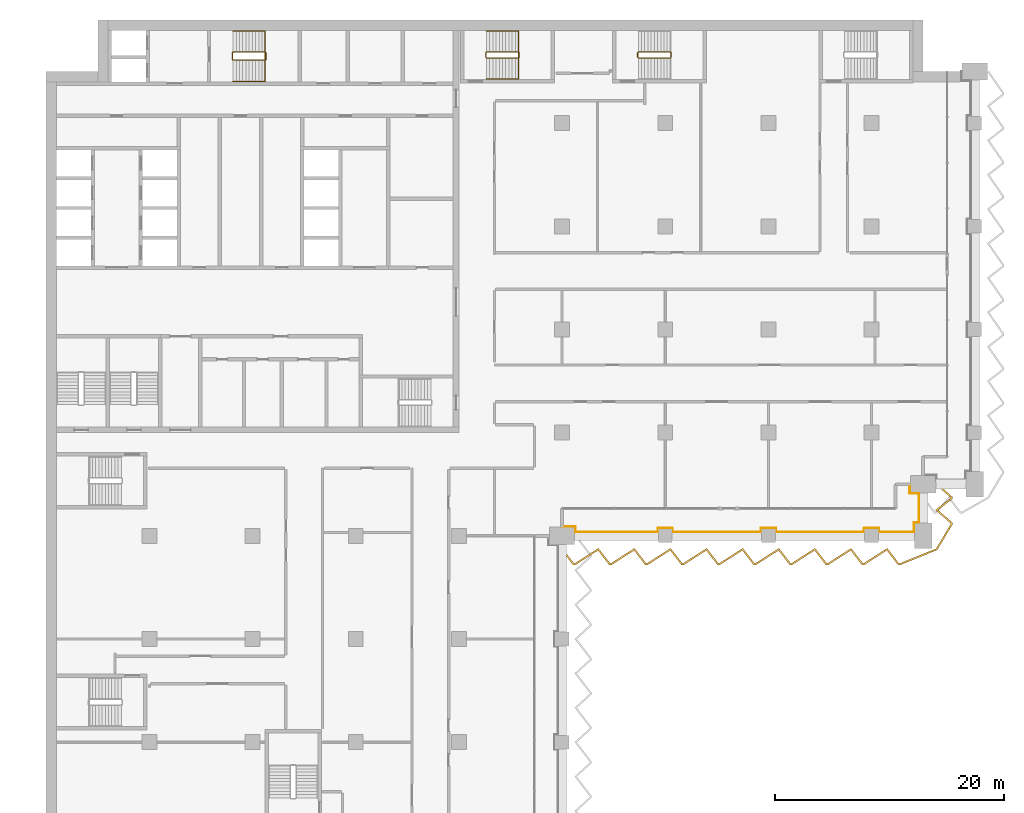
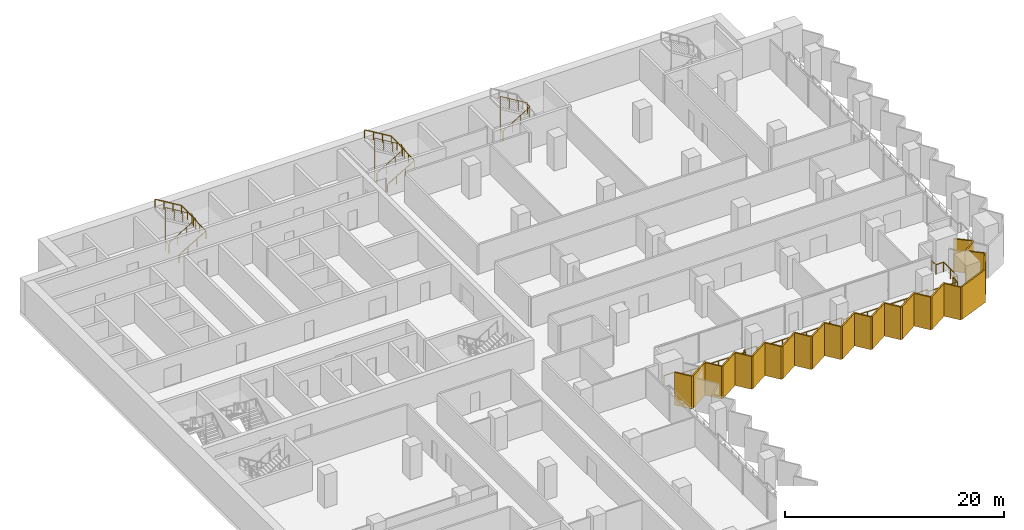
# One storey, part 22 of 23: 6 railings, 1 shading device.
"""IFC4 building model written with IfcOpenShell, lengths in metres."""

from ifc_helpers import new_model, si_unit, direction, frame, origin, origin_2d, place, context, subcontext, project, spatial, polyline, circle, outline, extrude, material, layer, layer_set, type_object, element, save


model = new_model("IFC4")

# Units and contexts
model_context = context("Model", 3, precision=1e-05, world=origin(), true_north=direction((0.0, 1.0)))
body_context = subcontext(model_context, "Body", "Model", "MODEL_VIEW")
ifc_project = project(units=[si_unit("LENGTHUNIT", "METRE"), si_unit("AREAUNIT", "SQUARE_METRE"), si_unit("VOLUMEUNIT", "CUBIC_METRE"), si_unit("PLANEANGLEUNIT", "RADIAN"), si_unit("MASSUNIT", "GRAM", prefix="KILO")], contexts=[model_context])

# Site, building, storey
site_placement = place(None, origin())
site = spatial("IfcSite", under=ifc_project, at=site_placement, CompositionType="ELEMENT")
building_placement = place(site_placement, origin())
building = spatial("IfcBuilding", under=site, at=building_placement, Name="Hunhe Ridgeline Campus", CompositionType="ELEMENT")
storey_placement = place(building_placement, frame((0.0, 0.0, 95.89990234375)))
storey = spatial("IfcBuildingStorey", under=building, at=storey_placement, Name="L23", CompositionType="ELEMENT", Elevation=95.89990234375)

# Railing
ifc_material_1 = material(Name="Steel Q355", Category="steel")
railing_type_1 = type_object("IfcRailingType", Name="Loggia guard 1100 Steel Q355", PredefinedType="GUARDRAIL", material=ifc_material_1)
railing_1_placement = place(storey_placement, frame((45.0, 54.820068359375, 0.0)))
element("IfcRailing", 1, at=railing_1_placement, inside=storey, type_object=railing_type_1, Name="Loggia guard 2", PredefinedType="GUARDRAIL", context=body_context, shape_type="SweptSolid", body=[
    extrude(circle(Radius=0.02392578125, at=origin_2d()), frame((0.0, 0.0, 1.076171875), z_axis=(1.0, 0.0, 0.0), x_axis=(0.0, 1.0, 0.0)), (0.0, 0.0, 1.0), 1.14990234375),
    extrude(circle(Radius=0.02392578125, at=origin_2d()), frame((1.14990234375, 0.0, 1.076171875), z_axis=(0.0, -1.0, 0.0), x_axis=(1.0, 0.0, 0.0)), (0.0, 0.0, 1.0), 0.469970703125),
    extrude(circle(Radius=0.02392578125, at=origin_2d()), frame((1.14990234375, -0.469970703125, 1.076171875), z_axis=(1.0, 0.0, 0.0), x_axis=(0.0, 1.0, 0.0)), (0.0, 0.0, 1.0), 7.2001953125),
    extrude(circle(Radius=0.02392578125, at=origin_2d()), frame((8.35009765625, -0.469970703125, 1.076171875), z_axis=(0.0, 1.0, 0.0), x_axis=(-1.0, 0.0, 0.0)), (0.0, 0.0, 1.0), 0.31982421875),
    extrude(circle(Radius=0.02392578125, at=origin_2d()), frame((8.35009765625, -0.150146484375, 1.076171875), z_axis=(1.0, 0.0, 0.0), x_axis=(0.0, 1.0, 0.0)), (0.0, 0.0, 1.0), 1.2998046875),
    extrude(circle(Radius=0.02392578125, at=origin_2d()), frame((9.64990234375, -0.150146484375, 1.076171875), z_axis=(0.0, -1.0, 0.0), x_axis=(1.0, 0.0, 0.0)), (0.0, 0.0, 1.0), 0.31982421875),
    extrude(circle(Radius=0.02392578125, at=origin_2d()), frame((9.64990234375, -0.469970703125, 1.076171875), z_axis=(1.0, 0.0, 0.0), x_axis=(0.0, 1.0, 0.0)), (0.0, 0.0, 1.0), 7.7001953125),
    extrude(circle(Radius=0.02392578125, at=origin_2d()), frame((17.35009765625, -0.469970703125, 1.076171875), z_axis=(0.0, 1.0, 0.0), x_axis=(-1.0, 0.0, 0.0)), (0.0, 0.0, 1.0), 0.31982421875),
    extrude(circle(Radius=0.02392578125, at=origin_2d()), frame((17.35009765625, -0.150146484375, 1.076171875), z_axis=(1.0, 0.0, 0.0), x_axis=(0.0, 1.0, 0.0)), (0.0, 0.0, 1.0), 1.2998046875),
    extrude(circle(Radius=0.02392578125, at=origin_2d()), frame((18.64990234375, -0.150146484375, 1.076171875), z_axis=(0.0, -1.0, 0.0), x_axis=(1.0, 0.0, 0.0)), (0.0, 0.0, 1.0), 0.31982421875),
    extrude(circle(Radius=0.02392578125, at=origin_2d()), frame((18.64990234375, -0.469970703125, 1.076171875), z_axis=(1.0, 0.0, 0.0), x_axis=(0.0, 1.0, 0.0)), (0.0, 0.0, 1.0), 7.7001953125),
    extrude(circle(Radius=0.02392578125, at=origin_2d()), frame((26.35009765625, -0.469970703125, 1.076171875), z_axis=(0.0, 1.0, 0.0), x_axis=(-1.0, 0.0, 0.0)), (0.0, 0.0, 1.0), 0.31982421875),
    extrude(circle(Radius=0.02392578125, at=origin_2d()), frame((26.35009765625, -0.150146484375, 1.076171875), z_axis=(1.0, 0.0, 0.0), x_axis=(0.0, 1.0, 0.0)), (0.0, 0.0, 1.0), 1.2998046875),
    extrude(circle(Radius=0.02392578125, at=origin_2d()), frame((27.64990234375, -0.150146484375, 1.076171875), z_axis=(0.0, -1.0, 0.0), x_axis=(1.0, 0.0, 0.0)), (0.0, 0.0, 1.0), 0.31982421875),
    extrude(circle(Radius=0.02392578125, at=origin_2d()), frame((27.64990234375, -0.469970703125, 1.076171875), z_axis=(1.0, 0.0, 0.0), x_axis=(0.0, 1.0, 0.0)), (0.0, 0.0, 1.0), 3.050048828125),
    extrude(circle(Radius=0.02392578125, at=origin_2d()), frame((30.699951171875, -0.469970703125, 1.076171875), z_axis=(0.0, 1.0, 0.0), x_axis=(-1.0, 0.0, 0.0)), (0.0, 0.0, 1.0), 0.81982421875),
    extrude(circle(Radius=0.02392578125, at=origin_2d()), frame((30.699951171875, 0.349853515625, 1.076171875), z_axis=(-0.057129153726, -0.99836679622, 0.0), x_axis=(0.99836679622, -0.057129153726, 0.0)), (0.0, 0.0, 1.0), 0.350341796875),
    extrude(circle(Radius=0.02392578125, at=origin_2d()), frame((30.679931640625, 0.0, 1.076171875), z_axis=(0.0, 1.0, 0.0), x_axis=(-1.0, 0.0, 0.0)), (0.0, 0.0, 1.0), 0.329833984375),
    extrude(circle(Radius=0.02392578125, at=origin_2d()), frame((30.679931640625, 0.329833984375, 1.076171875), z_axis=(1.0, 0.0, 0.0), x_axis=(0.0, 1.0, 0.0)), (0.0, 0.0, 1.0), 0.469970703125),
    extrude(circle(Radius=0.02392578125, at=origin_2d()), frame((31.14990234375, 0.329833984375, 1.076171875), z_axis=(0.0, 1.0, 0.0), x_axis=(-1.0, 0.0, 0.0)), (0.0, 0.0, 1.0), 2.550048828125),
    extrude(circle(Radius=0.02392578125, at=origin_2d()), frame((31.14990234375, 2.8798828125, 1.076171875), z_axis=(-1.0, 0.0, 0.0), x_axis=(0.0, -1.0, 0.0)), (0.0, 0.0, 1.0), 0.81982421875),
    extrude(circle(Radius=0.02392578125, at=origin_2d()), frame((30.330078125, 2.8798828125, 1.076171875), z_axis=(0.0, 1.0, 0.0), x_axis=(-1.0, 0.0, 0.0)), (0.0, 0.0, 1.0), 0.800048828125),
    extrude(circle(Radius=0.02099609375, at=origin_2d()), origin(), (0.0, 0.0, 1.0), 1.052001953125),
    extrude(circle(Radius=0.02099609375, at=origin_2d()), frame((1.14990234375, 0.0, 0.0)), (0.0, 0.0, 1.0), 1.052001953125),
    extrude(circle(Radius=0.02099609375, at=origin_2d()), frame((1.14990234375, -0.469970703125, 0.0)), (0.0, 0.0, 1.0), 1.052001953125),
    extrude(circle(Radius=0.02099609375, at=origin_2d()), frame((2.58984375, -0.469970703125, 0.0)), (0.0, 0.0, 1.0), 1.052001953125),
    extrude(circle(Radius=0.02099609375, at=origin_2d()), frame((4.030029296875, -0.469970703125, 0.0)), (0.0, 0.0, 1.0), 1.052001953125),
    extrude(circle(Radius=0.02099609375, at=origin_2d()), frame((5.469970703125, -0.469970703125, 0.0)), (0.0, 0.0, 1.0), 1.052001953125),
    extrude(circle(Radius=0.02099609375, at=origin_2d()), frame((6.91015625, -0.469970703125, 0.0)), (0.0, 0.0, 1.0), 1.052001953125),
    extrude(circle(Radius=0.02099609375, at=origin_2d()), frame((8.35009765625, -0.469970703125, 0.0)), (0.0, 0.0, 1.0), 1.052001953125),
    extrude(circle(Radius=0.02099609375, at=origin_2d()), frame((8.35009765625, -0.150146484375, 0.0)), (0.0, 0.0, 1.0), 1.052001953125),
    extrude(circle(Radius=0.02099609375, at=origin_2d()), frame((9.64990234375, -0.150146484375, 0.0)), (0.0, 0.0, 1.0), 1.052001953125),
    extrude(circle(Radius=0.02099609375, at=origin_2d()), frame((9.64990234375, -0.469970703125, 0.0)), (0.0, 0.0, 1.0), 1.052001953125),
    extrude(circle(Radius=0.02099609375, at=origin_2d()), frame((10.933349609375, -0.469970703125, 0.0)), (0.0, 0.0, 1.0), 1.052001953125),
    extrude(circle(Radius=0.02099609375, at=origin_2d()), frame((12.216552734375, -0.469970703125, 0.0)), (0.0, 0.0, 1.0), 1.052001953125),
    extrude(circle(Radius=0.02099609375, at=origin_2d()), frame((13.5, -0.469970703125, 0.0)), (0.0, 0.0, 1.0), 1.052001953125),
    extrude(circle(Radius=0.02099609375, at=origin_2d()), frame((14.783447265625, -0.469970703125, 0.0)), (0.0, 0.0, 1.0), 1.052001953125),
    extrude(circle(Radius=0.02099609375, at=origin_2d()), frame((16.066650390625, -0.469970703125, 0.0)), (0.0, 0.0, 1.0), 1.052001953125),
    extrude(circle(Radius=0.02099609375, at=origin_2d()), frame((17.35009765625, -0.469970703125, 0.0)), (0.0, 0.0, 1.0), 1.052001953125),
    extrude(circle(Radius=0.02099609375, at=origin_2d()), frame((17.35009765625, -0.150146484375, 0.0)), (0.0, 0.0, 1.0), 1.052001953125),
    extrude(circle(Radius=0.02099609375, at=origin_2d()), frame((18.64990234375, -0.150146484375, 0.0)), (0.0, 0.0, 1.0), 1.052001953125),
    extrude(circle(Radius=0.02099609375, at=origin_2d()), frame((18.64990234375, -0.469970703125, 0.0)), (0.0, 0.0, 1.0), 1.052001953125),
    extrude(circle(Radius=0.02099609375, at=origin_2d()), frame((19.933349609375, -0.469970703125, 0.0)), (0.0, 0.0, 1.0), 1.052001953125),
    extrude(circle(Radius=0.02099609375, at=origin_2d()), frame((21.216552734375, -0.469970703125, 0.0)), (0.0, 0.0, 1.0), 1.052001953125),
    extrude(circle(Radius=0.02099609375, at=origin_2d()), frame((22.5, -0.469970703125, 0.0)), (0.0, 0.0, 1.0), 1.052001953125),
    extrude(circle(Radius=0.02099609375, at=origin_2d()), frame((23.783447265625, -0.469970703125, 0.0)), (0.0, 0.0, 1.0), 1.052001953125),
    extrude(circle(Radius=0.02099609375, at=origin_2d()), frame((25.066650390625, -0.469970703125, 0.0)), (0.0, 0.0, 1.0), 1.052001953125),
    extrude(circle(Radius=0.02099609375, at=origin_2d()), frame((26.35009765625, -0.469970703125, 0.0)), (0.0, 0.0, 1.0), 1.052001953125),
    extrude(circle(Radius=0.02099609375, at=origin_2d()), frame((26.35009765625, -0.150146484375, 0.0)), (0.0, 0.0, 1.0), 1.052001953125),
    extrude(circle(Radius=0.02099609375, at=origin_2d()), frame((27.64990234375, -0.150146484375, 0.0)), (0.0, 0.0, 1.0), 1.052001953125),
    extrude(circle(Radius=0.02099609375, at=origin_2d()), frame((27.64990234375, -0.469970703125, 0.0)), (0.0, 0.0, 1.0), 1.052001953125),
    extrude(circle(Radius=0.02099609375, at=origin_2d()), frame((28.66650390625, -0.469970703125, 0.0)), (0.0, 0.0, 1.0), 1.052001953125),
    extrude(circle(Radius=0.02099609375, at=origin_2d()), frame((29.683349609375, -0.469970703125, 0.0)), (0.0, 0.0, 1.0), 1.052001953125),
    extrude(circle(Radius=0.02099609375, at=origin_2d()), frame((30.699951171875, -0.469970703125, 0.0)), (0.0, 0.0, 1.0), 1.052001953125),
    extrude(circle(Radius=0.02099609375, at=origin_2d()), frame((30.699951171875, 0.349853515625, 0.0)), (0.0, 0.0, 1.0), 1.052001953125),
    extrude(circle(Radius=0.02099609375, at=origin_2d()), frame((30.679931640625, 0.0, 0.0)), (0.0, 0.0, 1.0), 1.052001953125),
    extrude(circle(Radius=0.02099609375, at=origin_2d()), frame((30.679931640625, 0.329833984375, 0.0)), (0.0, 0.0, 1.0), 1.052001953125),
    extrude(circle(Radius=0.02099609375, at=origin_2d()), frame((31.14990234375, 0.329833984375, 0.0)), (0.0, 0.0, 1.0), 1.052001953125),
    extrude(circle(Radius=0.02099609375, at=origin_2d()), frame((31.14990234375, 1.60498046875, 0.0)), (0.0, 0.0, 1.0), 1.052001953125),
    extrude(circle(Radius=0.02099609375, at=origin_2d()), frame((31.14990234375, 2.8798828125, 0.0)), (0.0, 0.0, 1.0), 1.052001953125),
    extrude(circle(Radius=0.02099609375, at=origin_2d()), frame((30.330078125, 2.8798828125, 0.0)), (0.0, 0.0, 1.0), 1.052001953125),
    extrude(circle(Radius=0.02099609375, at=origin_2d()), frame((30.330078125, 3.679931640625, 0.0)), (0.0, 0.0, 1.0), 1.052001953125),
])

# Shading device
ifc_material_2 = material(Name="Concrete C50", Category="concrete")
ifc_layer = layer(ifc_material_2, 0.14990234375)
ifc_layer_set = layer_set([ifc_layer], Name="Sawtooth concrete fin 150 Concrete C50")
shading_device_type = type_object("IfcShadingDeviceType", Name="Sawtooth concrete fin 150 Concrete C50", PredefinedType="USERDEFINED", material=ifc_layer_set)
shading_device_placement = place(storey_placement, frame((0.0, 0.0, -0.949951171875)))
element("IfcShadingDevice", 2, at=shading_device_placement, inside=storey, type_object=shading_device_type, Name="Concrete fin screen 2", ObjectType="FIN", PredefinedType="USERDEFINED", context=body_context, shape_type="SweptSolid", body=[
    extrude(outline(polyline([(45.059326171875, 52.870849609375), (44.940673828125, 52.779296875), (45.965087890625, 51.449951171875), (46.14404296875, 51.449951171875), (48.132568359375, 52.724853515625), (49.115234375, 51.449951171875), (49.2939453125, 51.449951171875), (51.282470703125, 52.724853515625), (52.26513671875, 51.449951171875), (52.444091796875, 51.449951171875), (54.4326171875, 52.724853515625), (55.4150390625, 51.449951171875), (55.593994140625, 51.449951171875), (57.58251953125, 52.724853515625), (58.565185546875, 51.449951171875), (58.743896484375, 51.449951171875), (60.732666015625, 52.724853515625), (61.715087890625, 51.449951171875), (61.89404296875, 51.449951171875), (63.882568359375, 52.724853515625), (64.865234375, 51.449951171875), (65.0439453125, 51.449951171875), (67.032470703125, 52.724853515625), (68.01513671875, 51.449951171875), (68.194091796875, 51.449951171875), (70.1826171875, 52.724853515625), (71.1650390625, 51.449951171875), (71.343994140625, 51.449951171875), (73.33251953125, 52.724853515625), (74.315185546875, 51.449951171875), (74.486572265625, 51.449951171875), (77.7265625, 52.764892578125), (79.050048828125, 54.9814453125), (79.050048828125, 55.15625), (77.79345703125, 56.24658203125), (79.050048828125, 57.215087890625), (79.050048828125, 57.40625), (77.72412109375, 58.556640625), (77.625732421875, 58.443359375), (78.89990234375, 57.337890625), (78.89990234375, 57.288818359375), (77.556640625, 56.25341796875), (78.89990234375, 55.087890625), (78.89990234375, 55.022705078125), (77.62353515625, 52.885009765625), (74.45751953125, 51.60009765625), (74.388916015625, 51.60009765625), (73.367431640625, 52.92529296875), (71.300048828125, 51.60009765625), (71.239013671875, 51.60009765625), (70.217529296875, 52.92529296875), (68.150146484375, 51.60009765625), (68.0888671875, 51.60009765625), (67.0673828125, 52.92529296875), (65.0, 51.60009765625), (64.93896484375, 51.60009765625), (63.91748046875, 52.92529296875), (61.85009765625, 51.60009765625), (61.788818359375, 51.60009765625), (60.767333984375, 52.92529296875), (58.699951171875, 51.60009765625), (58.638916015625, 51.60009765625), (57.617431640625, 52.92529296875), (55.550048828125, 51.60009765625), (55.489013671875, 51.60009765625), (54.467529296875, 52.92529296875), (52.400146484375, 51.60009765625), (52.3388671875, 51.60009765625), (51.3173828125, 52.92529296875), (49.25, 51.60009765625), (49.18896484375, 51.60009765625), (48.16748046875, 52.92529296875), (46.10009765625, 51.60009765625), (46.038818359375, 51.60009765625), (45.059326171875, 52.870849609375)])), origin(), (0.0, 0.0, 1.0), 3.650146484375),
])

# Railings
ifc_material_3 = material(Name="Stainless steel balustrade", Category="steel")
railing_type_2 = type_object("IfcRailingType", Name="Stair guard 1100 stainless", PredefinedType="GUARDRAIL", material=ifc_material_3)
railing_2_placement = place(storey_placement, frame((16.300048828125, 95.5, 0.168212890625)))
element("IfcRailing", 3, at=railing_2_placement, inside=storey, type_object=railing_type_2, Name="L23 stair S1 guard", PredefinedType="GUARDRAIL", context=body_context, shape_type="SweptSolid", body=[
    extrude(circle(Radius=0.02392578125, at=origin_2d()), frame((0.0, 0.0, 1.076171875), z_axis=(0.857242210791, 0.0, 0.514913383045), x_axis=(0.0, 1.0, 0.0)), (0.0, 0.0, 1.0), 3.266357421875),
    extrude(circle(Radius=0.02392578125, at=origin_2d()), frame((2.800048828125, 0.0, 2.7578125), z_axis=(0.705375805398, 0.708833529934, 0.0), x_axis=(-0.708833529934, 0.705375805398, 0.0)), (0.0, 0.0, 1.0), 0.070556640625),
    extrude(circle(Radius=0.02392578125, at=origin_2d()), frame((2.849853515625, 0.050048828125, 2.7578125), z_axis=(0.0, 1.0, 0.0), x_axis=(-1.0, 0.0, 0.0)), (0.0, 0.0, 1.0), 0.599853515625),
    extrude(circle(Radius=0.02392578125, at=origin_2d()), frame((2.849853515625, 0.64990234375, 2.7578125), z_axis=(-0.273006030465, 0.27434429532, 0.922064485248), x_axis=(-0.708833529934, -0.705375805398, 0.0)), (0.0, 0.0, 1.0), 0.182373046875),
    extrude(circle(Radius=0.02392578125, at=origin_2d()), frame((2.800048828125, 0.699951171875, 2.92626953125), z_axis=(-0.857242210791, 0.0, 0.514913383045), x_axis=(0.0, -1.0, 0.0)), (0.0, 0.0, 1.0), 3.266357421875),
    extrude(circle(Radius=0.02392578125, at=origin_2d()), frame((0.0, 0.699951171875, 4.60791015625), z_axis=(-0.013523522368, -0.013523522368, -0.999817097616), x_axis=(0.707106781187, -0.707106781187, 0.0)), (0.0, 0.0, 1.0), 3.700927734375),
    extrude(circle(Radius=0.02392578125, at=origin_2d()), frame((-0.050048828125, 0.64990234375, 0.90771484375), z_axis=(0.0, -1.0, 0.0), x_axis=(1.0, 0.0, 0.0)), (0.0, 0.0, 1.0), 0.599853515625),
    extrude(circle(Radius=0.02099609375, at=origin_2d()), origin(), (0.0, 0.0, 1.0), 1.052001953125),
    extrude(circle(Radius=0.02099609375, at=origin_2d()), frame((0.933349609375, 0.0, 0.560546875)), (0.0, 0.0, 1.0), 1.052001953125),
    extrude(circle(Radius=0.02099609375, at=origin_2d()), frame((1.86669921875, 0.0, 1.121337890625)), (0.0, 0.0, 1.0), 1.052001953125),
    extrude(circle(Radius=0.02099609375, at=origin_2d()), frame((2.800048828125, 0.0, 1.681884765625)), (0.0, 0.0, 1.0), 1.052001953125),
    extrude(circle(Radius=0.02099609375, at=origin_2d()), frame((2.849853515625, 0.050048828125, 1.681884765625)), (0.0, 0.0, 1.0), 1.052001953125),
    extrude(circle(Radius=0.02099609375, at=origin_2d()), frame((2.849853515625, 0.64990234375, 1.681884765625)), (0.0, 0.0, 1.0), 1.052001953125),
    extrude(circle(Radius=0.02099609375, at=origin_2d()), frame((2.800048828125, 0.699951171875, 1.85009765625)), (0.0, 0.0, 1.0), 1.052001953125),
    extrude(circle(Radius=0.02099609375, at=origin_2d()), frame((1.86669921875, 0.699951171875, 2.41064453125)), (0.0, 0.0, 1.0), 1.052001953125),
    extrude(circle(Radius=0.02099609375, at=origin_2d()), frame((0.933349609375, 0.699951171875, 2.971435546875)), (0.0, 0.0, 1.0), 1.052001953125),
    extrude(circle(Radius=0.02099609375, at=origin_2d()), frame((0.0, 0.699951171875, 3.531982421875)), (0.0, 0.0, 1.0), 1.052001953125),
    extrude(circle(Radius=0.02099609375, at=origin_2d()), frame((-0.012451171875, 0.6875, 2.60693359375)), (0.0, 0.0, 1.0), 1.052001953125),
    extrude(circle(Radius=0.02099609375, at=origin_2d()), frame((-0.02490234375, 0.6748046875, 1.681884765625)), (0.0, 0.0, 1.0), 1.052001953125),
    extrude(circle(Radius=0.02099609375, at=origin_2d()), frame((-0.03759765625, 0.662353515625, 0.7568359375)), (0.0, 0.0, 1.0), 1.052001953125),
    extrude(circle(Radius=0.02099609375, at=origin_2d()), frame((-0.050048828125, 0.64990234375, -0.168212890625)), (0.0, 0.0, 1.0), 1.052001953125),
    extrude(circle(Radius=0.02099609375, at=origin_2d()), frame((-0.050048828125, 0.050048828125, -0.168212890625)), (0.0, 0.0, 1.0), 1.052001953125),
])
railing_3_placement = place(storey_placement, frame((38.39990234375, 95.699951171875, 0.168212890625)))
element("IfcRailing", 4, at=railing_3_placement, inside=storey, type_object=railing_type_2, Name="L23 stair E1 guard", PredefinedType="GUARDRAIL", context=body_context, shape_type="SweptSolid", body=[
    extrude(circle(Radius=0.02392578125, at=origin_2d()), frame((0.0, 0.0, 1.076171875), z_axis=(0.857242210791, 0.0, 0.514913383045), x_axis=(0.0, 1.0, 0.0)), (0.0, 0.0, 1.0), 3.266357421875),
    extrude(circle(Radius=0.02392578125, at=origin_2d()), frame((2.800048828125, 0.0, 2.7578125), z_axis=(0.707106781187, 0.707106781187, 0.0), x_axis=(-0.707106781187, 0.707106781187, 0.0)), (0.0, 0.0, 1.0), 0.07080078125),
    extrude(circle(Radius=0.02392578125, at=origin_2d()), frame((2.85009765625, 0.050048828125, 2.7578125), z_axis=(0.0, 1.0, 0.0), x_axis=(-1.0, 0.0, 0.0)), (0.0, 0.0, 1.0), 0.39990234375),
    extrude(circle(Radius=0.02392578125, at=origin_2d()), frame((2.85009765625, 0.449951171875, 2.7578125), z_axis=(-0.274243871929, 0.274243871929, 0.92172696468), x_axis=(-0.707106781187, -0.707106781187, 0.0)), (0.0, 0.0, 1.0), 0.1826171875),
    extrude(circle(Radius=0.02392578125, at=origin_2d()), frame((2.800048828125, 0.5, 2.92626953125), z_axis=(-0.857242210791, 0.0, 0.514913383045), x_axis=(0.0, -1.0, 0.0)), (0.0, 0.0, 1.0), 3.266357421875),
    extrude(circle(Radius=0.02392578125, at=origin_2d()), frame((0.0, 0.5, 4.60791015625), z_axis=(-0.013457565943, -0.013523534403, -0.999817987404), x_axis=(0.708833529934, -0.705375805398, 0.0)), (0.0, 0.0, 1.0), 3.700927734375),
    extrude(circle(Radius=0.02392578125, at=origin_2d()), frame((-0.0498046875, 0.449951171875, 0.90771484375), z_axis=(0.0, -1.0, 0.0), x_axis=(1.0, 0.0, 0.0)), (0.0, 0.0, 1.0), 0.39990234375),
    extrude(circle(Radius=0.02099609375, at=origin_2d()), origin(), (0.0, 0.0, 1.0), 1.052001953125),
    extrude(circle(Radius=0.02099609375, at=origin_2d()), frame((0.933349609375, 0.0, 0.560546875)), (0.0, 0.0, 1.0), 1.052001953125),
    extrude(circle(Radius=0.02099609375, at=origin_2d()), frame((1.86669921875, 0.0, 1.121337890625)), (0.0, 0.0, 1.0), 1.052001953125),
    extrude(circle(Radius=0.02099609375, at=origin_2d()), frame((2.800048828125, 0.0, 1.681884765625)), (0.0, 0.0, 1.0), 1.052001953125),
    extrude(circle(Radius=0.02099609375, at=origin_2d()), frame((2.85009765625, 0.050048828125, 1.681884765625)), (0.0, 0.0, 1.0), 1.052001953125),
    extrude(circle(Radius=0.02099609375, at=origin_2d()), frame((2.85009765625, 0.449951171875, 1.681884765625)), (0.0, 0.0, 1.0), 1.052001953125),
    extrude(circle(Radius=0.02099609375, at=origin_2d()), frame((2.800048828125, 0.5, 1.85009765625)), (0.0, 0.0, 1.0), 1.052001953125),
    extrude(circle(Radius=0.02099609375, at=origin_2d()), frame((1.86669921875, 0.5, 2.41064453125)), (0.0, 0.0, 1.0), 1.052001953125),
    extrude(circle(Radius=0.02099609375, at=origin_2d()), frame((0.933349609375, 0.5, 2.971435546875)), (0.0, 0.0, 1.0), 1.052001953125),
    extrude(circle(Radius=0.02099609375, at=origin_2d()), frame((0.0, 0.5, 3.531982421875)), (0.0, 0.0, 1.0), 1.052001953125),
    extrude(circle(Radius=0.02099609375, at=origin_2d()), frame((-0.012451171875, 0.487548828125, 2.60693359375)), (0.0, 0.0, 1.0), 1.052001953125),
    extrude(circle(Radius=0.02099609375, at=origin_2d()), frame((-0.02490234375, 0.47509765625, 1.681884765625)), (0.0, 0.0, 1.0), 1.052001953125),
    extrude(circle(Radius=0.02099609375, at=origin_2d()), frame((-0.037353515625, 0.46240234375, 0.7568359375)), (0.0, 0.0, 1.0), 1.052001953125),
    extrude(circle(Radius=0.02099609375, at=origin_2d()), frame((-0.0498046875, 0.449951171875, -0.168212890625)), (0.0, 0.0, 1.0), 1.052001953125),
    extrude(circle(Radius=0.02099609375, at=origin_2d()), frame((-0.0498046875, 0.050048828125, -0.168212890625)), (0.0, 0.0, 1.0), 1.052001953125),
])
railing_4_placement = place(storey_placement, frame((51.64990234375, 95.699951171875, 0.168212890625)))
element("IfcRailing", 5, at=railing_4_placement, inside=storey, type_object=railing_type_2, Name="L23 stair E2 guard", PredefinedType="GUARDRAIL", context=body_context, shape_type="SweptSolid", body=[
    extrude(circle(Radius=0.02392578125, at=origin_2d()), frame((0.0, 0.0, 1.076171875), z_axis=(0.857242210791, 0.0, 0.514913383045), x_axis=(0.0, 1.0, 0.0)), (0.0, 0.0, 1.0), 3.266357421875),
    extrude(circle(Radius=0.02392578125, at=origin_2d()), frame((2.800048828125, 0.0, 2.7578125), z_axis=(0.707106781187, 0.707106781187, 0.0), x_axis=(-0.707106781187, 0.707106781187, 0.0)), (0.0, 0.0, 1.0), 0.07080078125),
    extrude(circle(Radius=0.02392578125, at=origin_2d()), frame((2.85009765625, 0.050048828125, 2.7578125), z_axis=(0.0, 1.0, 0.0), x_axis=(-1.0, 0.0, 0.0)), (0.0, 0.0, 1.0), 0.39990234375),
    extrude(circle(Radius=0.02392578125, at=origin_2d()), frame((2.85009765625, 0.449951171875, 2.7578125), z_axis=(-0.274243871929, 0.274243871929, 0.92172696468), x_axis=(-0.707106781187, -0.707106781187, 0.0)), (0.0, 0.0, 1.0), 0.1826171875),
    extrude(circle(Radius=0.02392578125, at=origin_2d()), frame((2.800048828125, 0.5, 2.92626953125), z_axis=(-0.857242210791, 0.0, 0.514913383045), x_axis=(0.0, -1.0, 0.0)), (0.0, 0.0, 1.0), 3.266357421875),
    extrude(circle(Radius=0.02392578125, at=origin_2d()), frame((0.0, 0.5, 4.60791015625), z_axis=(-0.013457565943, -0.013523534403, -0.999817987404), x_axis=(0.708833529934, -0.705375805398, 0.0)), (0.0, 0.0, 1.0), 3.700927734375),
    extrude(circle(Radius=0.02392578125, at=origin_2d()), frame((-0.0498046875, 0.449951171875, 0.90771484375), z_axis=(0.0, -1.0, 0.0), x_axis=(1.0, 0.0, 0.0)), (0.0, 0.0, 1.0), 0.39990234375),
    extrude(circle(Radius=0.02099609375, at=origin_2d()), origin(), (0.0, 0.0, 1.0), 1.052001953125),
    extrude(circle(Radius=0.02099609375, at=origin_2d()), frame((0.933349609375, 0.0, 0.560546875)), (0.0, 0.0, 1.0), 1.052001953125),
    extrude(circle(Radius=0.02099609375, at=origin_2d()), frame((1.86669921875, 0.0, 1.121337890625)), (0.0, 0.0, 1.0), 1.052001953125),
    extrude(circle(Radius=0.02099609375, at=origin_2d()), frame((2.800048828125, 0.0, 1.681884765625)), (0.0, 0.0, 1.0), 1.052001953125),
    extrude(circle(Radius=0.02099609375, at=origin_2d()), frame((2.85009765625, 0.050048828125, 1.681884765625)), (0.0, 0.0, 1.0), 1.052001953125),
    extrude(circle(Radius=0.02099609375, at=origin_2d()), frame((2.85009765625, 0.449951171875, 1.681884765625)), (0.0, 0.0, 1.0), 1.052001953125),
    extrude(circle(Radius=0.02099609375, at=origin_2d()), frame((2.800048828125, 0.5, 1.85009765625)), (0.0, 0.0, 1.0), 1.052001953125),
    extrude(circle(Radius=0.02099609375, at=origin_2d()), frame((1.86669921875, 0.5, 2.41064453125)), (0.0, 0.0, 1.0), 1.052001953125),
    extrude(circle(Radius=0.02099609375, at=origin_2d()), frame((0.933349609375, 0.5, 2.971435546875)), (0.0, 0.0, 1.0), 1.052001953125),
    extrude(circle(Radius=0.02099609375, at=origin_2d()), frame((0.0, 0.5, 3.531982421875)), (0.0, 0.0, 1.0), 1.052001953125),
    extrude(circle(Radius=0.02099609375, at=origin_2d()), frame((-0.012451171875, 0.487548828125, 2.60693359375)), (0.0, 0.0, 1.0), 1.052001953125),
    extrude(circle(Radius=0.02099609375, at=origin_2d()), frame((-0.02490234375, 0.47509765625, 1.681884765625)), (0.0, 0.0, 1.0), 1.052001953125),
    extrude(circle(Radius=0.02099609375, at=origin_2d()), frame((-0.037353515625, 0.46240234375, 0.7568359375)), (0.0, 0.0, 1.0), 1.052001953125),
    extrude(circle(Radius=0.02099609375, at=origin_2d()), frame((-0.0498046875, 0.449951171875, -0.168212890625)), (0.0, 0.0, 1.0), 1.052001953125),
    extrude(circle(Radius=0.02099609375, at=origin_2d()), frame((-0.0498046875, 0.050048828125, -0.168212890625)), (0.0, 0.0, 1.0), 1.052001953125),
])
ifc_material_4 = material(Name="Stainless steel handrail", Category="steel")
railing_type_3 = type_object("IfcRailingType", Name="Stair handrail 900 stainless", PredefinedType="HANDRAIL", material=ifc_material_4)
railing_5_placement = place(storey_placement, frame((16.300048828125, 93.64990234375, 0.168212890625)))
element("IfcRailing", 6, at=railing_5_placement, inside=storey, type_object=railing_type_3, Name="L23 stair S1 handrail", PredefinedType="HANDRAIL", context=body_context, shape_type="SweptSolid", body=[
    extrude(circle(Radius=0.02392578125, at=origin_2d()), frame((0.0, 0.0, 0.8759765625), z_axis=(0.857242210791, 0.0, 0.514913383045), x_axis=(0.0, 1.0, 0.0)), (0.0, 0.0, 1.0), 3.266357421875),
    extrude(circle(Radius=0.02392578125, at=origin_2d()), frame((2.800048828125, 0.0, 2.5576171875), z_axis=(0.0, 0.999270074432, 0.038201025428), x_axis=(-1.0, 0.0, 0.0)), (0.0, 0.0, 1.0), 4.4033203125),
    extrude(circle(Radius=0.02392578125, at=origin_2d()), frame((2.800048828125, 4.400146484375, 2.72607421875), z_axis=(-0.857242210791, 0.0, 0.514913383045), x_axis=(0.0, -1.0, 0.0)), (0.0, 0.0, 1.0), 3.266357421875),
    extrude(circle(Radius=0.02099609375, at=origin_2d()), origin(), (0.0, 0.0, 1.0), 0.851806640625),
    extrude(circle(Radius=0.02099609375, at=origin_2d()), frame((0.933349609375, 0.0, 0.560546875)), (0.0, 0.0, 1.0), 0.851806640625),
    extrude(circle(Radius=0.02099609375, at=origin_2d()), frame((1.86669921875, 0.0, 1.121337890625)), (0.0, 0.0, 1.0), 0.851806640625),
    extrude(circle(Radius=0.02099609375, at=origin_2d()), frame((2.800048828125, 0.0, 1.681884765625)), (0.0, 0.0, 1.0), 0.851806640625),
    extrude(circle(Radius=0.02099609375, at=origin_2d()), frame((2.800048828125, 1.10009765625, 1.723876953125)), (0.0, 0.0, 1.0), 0.851806640625),
    extrude(circle(Radius=0.02099609375, at=origin_2d()), frame((2.800048828125, 2.2001953125, 1.76611328125)), (0.0, 0.0, 1.0), 0.851806640625),
    extrude(circle(Radius=0.02099609375, at=origin_2d()), frame((2.800048828125, 3.300048828125, 1.80810546875)), (0.0, 0.0, 1.0), 0.851806640625),
    extrude(circle(Radius=0.02099609375, at=origin_2d()), frame((2.800048828125, 4.400146484375, 1.85009765625)), (0.0, 0.0, 1.0), 0.851806640625),
    extrude(circle(Radius=0.02099609375, at=origin_2d()), frame((1.86669921875, 4.400146484375, 2.41064453125)), (0.0, 0.0, 1.0), 0.851806640625),
    extrude(circle(Radius=0.02099609375, at=origin_2d()), frame((0.933349609375, 4.400146484375, 2.971435546875)), (0.0, 0.0, 1.0), 0.851806640625),
    extrude(circle(Radius=0.02099609375, at=origin_2d()), frame((0.0, 4.400146484375, 3.531982421875)), (0.0, 0.0, 1.0), 0.851806640625),
])
railing_6_placement = place(storey_placement, frame((38.39990234375, 93.85009765625, 0.168212890625)))
element("IfcRailing", 7, at=railing_6_placement, inside=storey, type_object=railing_type_3, Name="L23 stair E1 handrail", PredefinedType="HANDRAIL", context=body_context, shape_type="SweptSolid", body=[
    extrude(circle(Radius=0.02392578125, at=origin_2d()), frame((0.0, 0.0, 0.8759765625), z_axis=(0.857242210791, 0.0, 0.514913383045), x_axis=(0.0, 1.0, 0.0)), (0.0, 0.0, 1.0), 3.266357421875),
    extrude(circle(Radius=0.02392578125, at=origin_2d()), frame((2.800048828125, 0.0, 2.5576171875), z_axis=(0.0, 0.999198916169, 0.040019069537), x_axis=(-1.0, 0.0, 0.0)), (0.0, 0.0, 1.0), 4.203369140625),
    extrude(circle(Radius=0.02392578125, at=origin_2d()), frame((2.800048828125, 4.199951171875, 2.72607421875), z_axis=(-0.857242210791, 0.0, 0.514913383045), x_axis=(0.0, -1.0, 0.0)), (0.0, 0.0, 1.0), 3.266357421875),
    extrude(circle(Radius=0.02099609375, at=origin_2d()), origin(), (0.0, 0.0, 1.0), 0.851806640625),
    extrude(circle(Radius=0.02099609375, at=origin_2d()), frame((0.933349609375, 0.0, 0.560546875)), (0.0, 0.0, 1.0), 0.851806640625),
    extrude(circle(Radius=0.02099609375, at=origin_2d()), frame((1.86669921875, 0.0, 1.121337890625)), (0.0, 0.0, 1.0), 0.851806640625),
    extrude(circle(Radius=0.02099609375, at=origin_2d()), frame((2.800048828125, 0.0, 1.681884765625)), (0.0, 0.0, 1.0), 0.851806640625),
    extrude(circle(Radius=0.02099609375, at=origin_2d()), frame((2.800048828125, 1.050048828125, 1.723876953125)), (0.0, 0.0, 1.0), 0.851806640625),
    extrude(circle(Radius=0.02099609375, at=origin_2d()), frame((2.800048828125, 2.10009765625, 1.76611328125)), (0.0, 0.0, 1.0), 0.851806640625),
    extrude(circle(Radius=0.02099609375, at=origin_2d()), frame((2.800048828125, 3.14990234375, 1.80810546875)), (0.0, 0.0, 1.0), 0.851806640625),
    extrude(circle(Radius=0.02099609375, at=origin_2d()), frame((2.800048828125, 4.199951171875, 1.85009765625)), (0.0, 0.0, 1.0), 0.851806640625),
    extrude(circle(Radius=0.02099609375, at=origin_2d()), frame((1.86669921875, 4.199951171875, 2.41064453125)), (0.0, 0.0, 1.0), 0.851806640625),
    extrude(circle(Radius=0.02099609375, at=origin_2d()), frame((0.933349609375, 4.199951171875, 2.971435546875)), (0.0, 0.0, 1.0), 0.851806640625),
    extrude(circle(Radius=0.02099609375, at=origin_2d()), frame((0.0, 4.199951171875, 3.531982421875)), (0.0, 0.0, 1.0), 0.851806640625),
])

save(model, "model.ifc")
